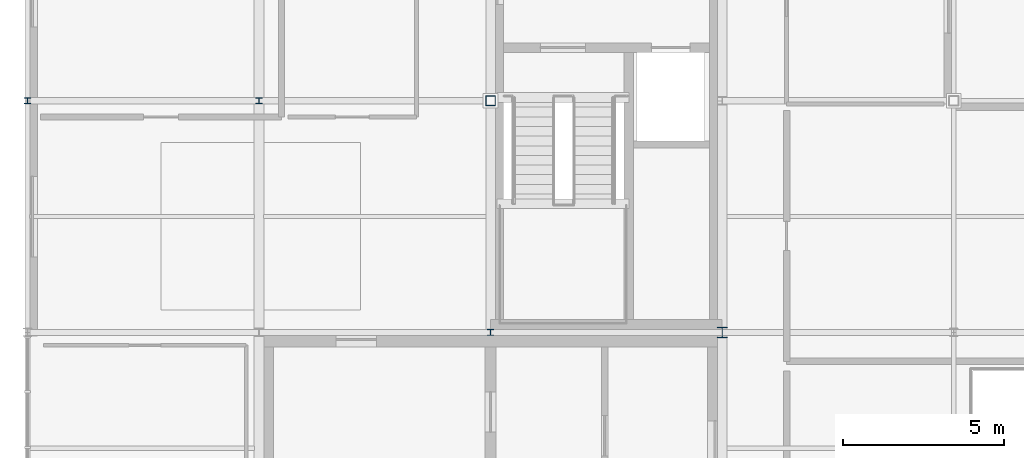
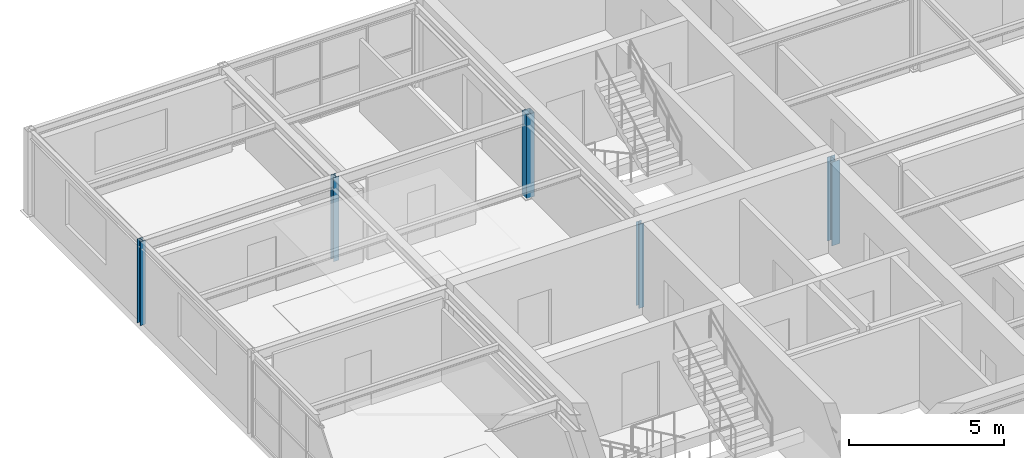
# One storey, part 2 of 22: 5 columns.
"""IFC4 building model written with IfcOpenShell, lengths in metres."""

from ifc_helpers import new_model, si_unit, direction, frame, origin, origin_2d, place, context, subcontext, project, spatial, hollow_rectangle, i_section, extrude, material, material_profile, profile_set, type_object, element, save


model = new_model("IFC4")

# Units and contexts
model_context = context("Model", 3, precision=1e-05, world=origin(), true_north=direction((0.0, 1.0)))
body_context = subcontext(model_context, "Body", "Model", "MODEL_VIEW")
ifc_project = project(units=[si_unit("LENGTHUNIT", "METRE"), si_unit("AREAUNIT", "SQUARE_METRE"), si_unit("VOLUMEUNIT", "CUBIC_METRE"), si_unit("PLANEANGLEUNIT", "RADIAN"), si_unit("MASSUNIT", "GRAM", prefix="KILO")], contexts=[model_context])

# Site, building, storey
site_placement = place(None, origin())
site = spatial("IfcSite", under=ifc_project, at=site_placement, CompositionType="ELEMENT")
building_placement = place(site_placement, origin())
building = spatial("IfcBuilding", under=site, at=building_placement, Name="Leyfeld Transit Interchange", CompositionType="ELEMENT")
storey_placement = place(building_placement, frame((0.0, 0.0, 18.0)))
storey = spatial("IfcBuildingStorey", under=building, at=storey_placement, Name="L04", CompositionType="ELEMENT", Elevation=18.0)

# Columns
ifc_material = material(Name="Steel S355J2", Category="steel")
ifc_material_profile_1 = material_profile(ifc_material, i_section(OverallWidth=0.199951171875, OverallDepth=0.18994140625, WebThickness=0.006591796875, FlangeThickness=0.010009765625, FilletRadius=0.01806640625, at=origin_2d()), Name="HEA 200")
ifc_profile_set_1 = profile_set([ifc_material_profile_1], Name="Steel S355J2")
column_type_1 = type_object("IfcColumnType", Name="COL-CAT-02", PredefinedType="COLUMN", material=ifc_profile_set_1)
column_1_placement = place(storey_placement, frame((14.39990234375, 108.0, 0.0), z_axis=(0.0, 0.0, 1.0), x_axis=(1.0, 0.0, 0.0)))
element("IfcColumn", 1, at=column_1_placement, inside=storey, type_object=column_type_1, Name="Column COL-L04-0144_1080", PredefinedType="COLUMN", context=body_context, shape_type="SweptSolid", body=[
    extrude(i_section(OverallWidth=0.199951171875, OverallDepth=0.18994140625, WebThickness=0.006591796875, FlangeThickness=0.010009765625, FilletRadius=0.01806640625, at=origin_2d()), origin(), (0.0, 0.0, 1.0), 3.300048828125),
])
ifc_material_profile_2 = material_profile(ifc_material, i_section(OverallWidth=0.300048828125, OverallDepth=0.330078125, WebThickness=0.009521484375, FlangeThickness=0.0166015625, FilletRadius=0.027099609375, at=origin_2d()), Name="HEA 340")
ifc_profile_set_2 = profile_set([ifc_material_profile_2], Name="Steel S355J2")
column_type_2 = type_object("IfcColumnType", Name="COL-CAT-06", PredefinedType="COLUMN", material=ifc_profile_set_2)
column_2_placement = place(storey_placement, frame((21.60009765625, 108.0, 0.0), z_axis=(0.0, 0.0, 1.0), x_axis=(1.0, 0.0, 0.0)))
element("IfcColumn", 2, at=column_2_placement, inside=storey, type_object=column_type_2, Name="Column COL-L04-0216_1080", PredefinedType="COLUMN", context=body_context, shape_type="SweptSolid", body=[
    extrude(i_section(OverallWidth=0.300048828125, OverallDepth=0.330078125, WebThickness=0.009521484375, FlangeThickness=0.0166015625, FilletRadius=0.027099609375, at=origin_2d()), origin(), (0.0, 0.0, 1.0), 3.300048828125),
])
ifc_material_profile_3 = material_profile(ifc_material, i_section(OverallWidth=0.199951171875, OverallDepth=0.199951171875, WebThickness=0.009033203125, FlangeThickness=0.014892578125, FilletRadius=0.01806640625, at=origin_2d()), Name="HEB 200")
ifc_profile_set_3 = profile_set([ifc_material_profile_3], Name="Steel S355J2")
column_type_3 = type_object("IfcColumnType", Name="COL-CAT-10", PredefinedType="COLUMN", material=ifc_profile_set_3)
for number, where, z_axis, x_axis, name in (
    (3, (0.0, 115.199951171875, 0.0), (0.0, 0.0, 1.0), (1.0, 0.0, 0.0), "Column COL-L04-0000_1152"),
    (4, (7.199951171875, 115.199951171875, 0.0), (0.0, 0.0, 1.0), (1.0, 0.0, 0.0), "Column COL-L04-0072_1152"),
):
    element("IfcColumn", number, at=place(storey_placement, frame(where, z_axis=z_axis, x_axis=x_axis)), inside=storey, type_object=column_type_3, Name=name, PredefinedType="COLUMN", context=body_context, shape_type="SweptSolid", body=[
        extrude(i_section(OverallWidth=0.199951171875, OverallDepth=0.199951171875, WebThickness=0.009033203125, FlangeThickness=0.014892578125, FilletRadius=0.01806640625, at=origin_2d()), origin(), (0.0, 0.0, 1.0), 3.300048828125),
    ])
ifc_material_profile_4 = material_profile(ifc_material, hollow_rectangle(XDim=0.300048828125, YDim=0.300048828125, WallThickness=0.012451171875, at=origin_2d()), Name="SHS 300x300x12.5")
ifc_profile_set_4 = profile_set([ifc_material_profile_4], Name="Steel S355J2")
column_type_4 = type_object("IfcColumnType", Name="COL-STL-SHS300", PredefinedType="COLUMN", material=ifc_profile_set_4)
column_3_placement = place(storey_placement, frame((14.39990234375, 115.199951171875, 0.0), z_axis=(0.0, 0.0, 1.0), x_axis=(1.0, 0.0, 0.0)))
element("IfcColumn", 5, at=column_3_placement, inside=storey, type_object=column_type_4, Name="Column COL-L04-0144_1152", PredefinedType="COLUMN", context=body_context, shape_type="SweptSolid", body=[
    extrude(hollow_rectangle(XDim=0.300048828125, YDim=0.300048828125, WallThickness=0.012451171875, at=origin_2d()), origin(), (0.0, 0.0, 1.0), 3.300048828125),
])

save(model, "model.ifc")
